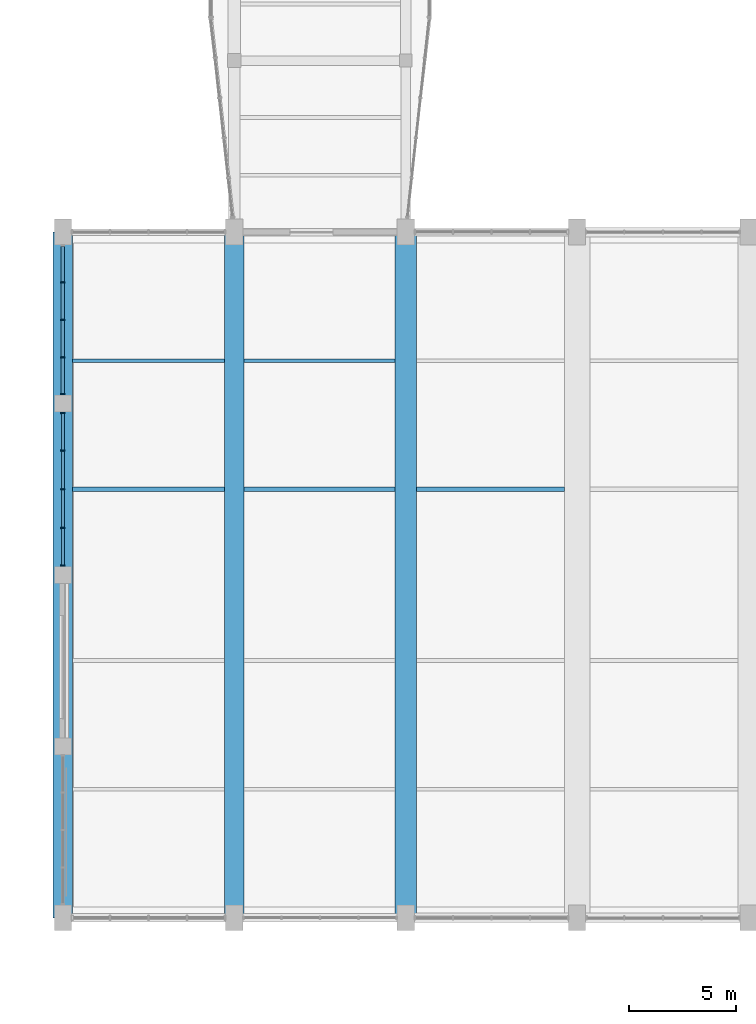
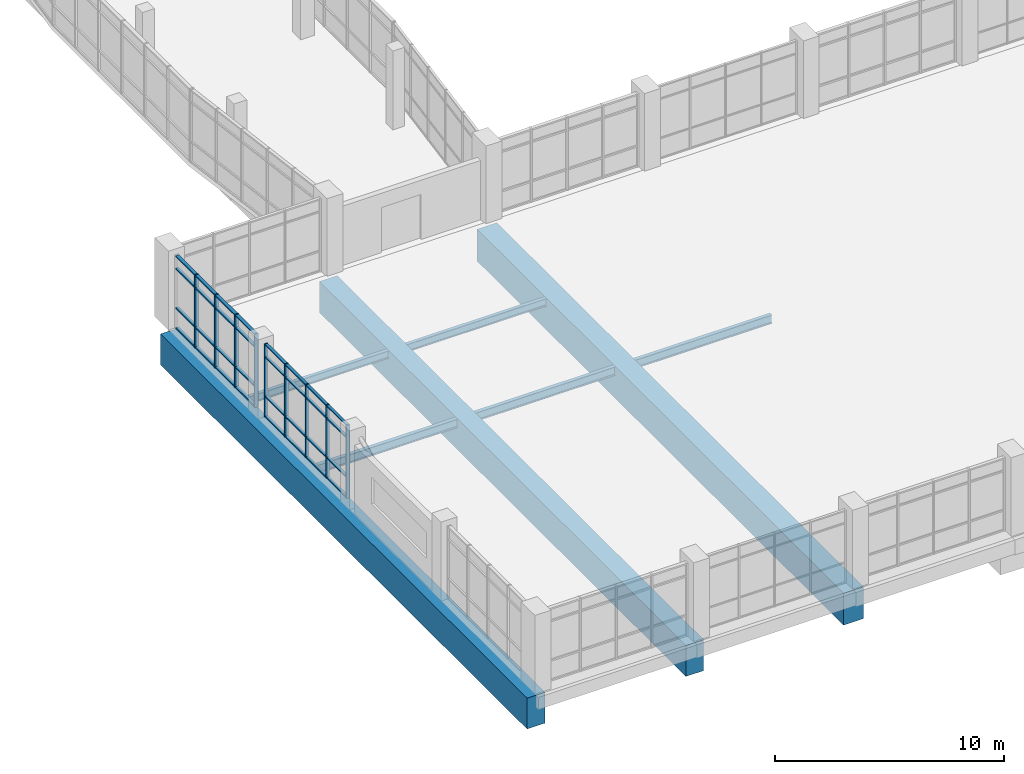
# One storey, part 6 of 84: 41 members, 8 beams, 2 elements without a shape of their own.
"""IFC4 building model written with IfcOpenShell, lengths in metres."""

from ifc_helpers import new_model, si_unit, direction, frame, origin, origin_2d, place, context, subcontext, project, spatial, rectangle, i_section, extrude, material, material_profile, profile_set, type_object, element, aggregate, save


model = new_model("IFC4")

# Units and contexts
model_context = context("Model", 3, precision=1e-05, world=origin(), true_north=direction((0.0, 1.0)))
body_context = subcontext(model_context, "Body", "Model", "MODEL_VIEW")
ifc_project = project(units=[si_unit("LENGTHUNIT", "METRE"), si_unit("AREAUNIT", "SQUARE_METRE"), si_unit("VOLUMEUNIT", "CUBIC_METRE"), si_unit("PLANEANGLEUNIT", "RADIAN"), si_unit("MASSUNIT", "GRAM", prefix="KILO")], contexts=[model_context])

# Site, building, storey
site_placement = place(None, origin())
site = spatial("IfcSite", under=ifc_project, at=site_placement, CompositionType="ELEMENT")
building_placement = place(site_placement, origin())
building = spatial("IfcBuilding", under=site, at=building_placement, Name="Tenunan Teduh Sports Hall", CompositionType="ELEMENT")
storey_placement = place(building_placement, frame((0.0, 0.0, 10.800048828125)))
storey = spatial("IfcBuildingStorey", under=building, at=storey_placement, Name="L02", CompositionType="ELEMENT", Elevation=10.800048828125)

# Curtain wall, members
ifc_material_1 = material(Name="Anodised aluminium", Category="aluminium")
curtain_wall_type = type_object("IfcCurtainWallType", Name="CW-UNIT-2", PredefinedType="NOTDEFINED", material=ifc_material_1)
curtain_wall_1_placement = place(storey_placement, origin())
curtain_wall_1 = element("IfcCurtainWall", 1, at=curtain_wall_1_placement, inside=storey, type_object=curtain_wall_type, Name="CW-CWM-175-L02-070", PredefinedType="NOTDEFINED")
ifc_material_2 = material(Name="Anodised aluminium", Category="aluminium")
ifc_material_profile_1 = material_profile(ifc_material_2, rectangle(XDim=0.06494140625, YDim=0.175048828125, at=origin_2d()), Name="CWM 65x175")
ifc_profile_set_1 = profile_set([ifc_material_profile_1], Name="Anodised aluminium")
member_type_1 = type_object("IfcMemberType", Name="CWM-175", PredefinedType="MULLION", material=ifc_profile_set_1)
member_1_placement = place(storey_placement, frame((6.0, 30.4326171875, 0.0), z_axis=(0.0, 0.0, 1.0), x_axis=(0.0, 1.0, 0.0)))
member_1 = element("IfcMember", 2, at=member_1_placement, type_object=member_type_1, Name="CW-02 mullion 1", PredefinedType="MULLION", context=body_context, shape_type="SweptSolid", body=[
    extrude(rectangle(XDim=0.06494140625, YDim=0.175048828125, at=origin_2d()), origin(), (0.0, 0.0, 1.0), 3.89990234375),
])
member_2_placement = place(storey_placement, frame((6.0, 32.199951171875, 0.0), z_axis=(0.0, 0.0, 1.0), x_axis=(0.0, 1.0, 0.0)))
member_2 = element("IfcMember", 3, at=member_2_placement, type_object=member_type_1, Name="CW-02 mullion 2", PredefinedType="MULLION", context=body_context, shape_type="SweptSolid", body=[
    extrude(rectangle(XDim=0.06494140625, YDim=0.175048828125, at=origin_2d()), origin(), (0.0, 0.0, 1.0), 3.89990234375),
])
member_3_placement = place(storey_placement, frame((6.0, 34.0, 0.0), z_axis=(0.0, 0.0, 1.0), x_axis=(0.0, 1.0, 0.0)))
member_3 = element("IfcMember", 4, at=member_3_placement, type_object=member_type_1, Name="CW-02 mullion 3", PredefinedType="MULLION", context=body_context, shape_type="SweptSolid", body=[
    extrude(rectangle(XDim=0.06494140625, YDim=0.175048828125, at=origin_2d()), origin(), (0.0, 0.0, 1.0), 3.89990234375),
])
member_4_placement = place(storey_placement, frame((6.0, 35.800048828125, 0.0), z_axis=(0.0, 0.0, 1.0), x_axis=(0.0, 1.0, 0.0)))
member_4 = element("IfcMember", 5, at=member_4_placement, type_object=member_type_1, Name="CW-02 mullion 4", PredefinedType="MULLION", context=body_context, shape_type="SweptSolid", body=[
    extrude(rectangle(XDim=0.06494140625, YDim=0.175048828125, at=origin_2d()), origin(), (0.0, 0.0, 1.0), 3.89990234375),
])
member_5_placement = place(storey_placement, frame((6.0, 37.5673828125, 0.0), z_axis=(0.0, 0.0, 1.0), x_axis=(0.0, 1.0, 0.0)))
member_5 = element("IfcMember", 6, at=member_5_placement, type_object=member_type_1, Name="CW-02 mullion 5", PredefinedType="MULLION", context=body_context, shape_type="SweptSolid", body=[
    extrude(rectangle(XDim=0.06494140625, YDim=0.175048828125, at=origin_2d()), origin(), (0.0, 0.0, 1.0), 3.89990234375),
])

curtain_wall_2_placement = place(storey_placement, origin())
curtain_wall_2 = element("IfcCurtainWall", 7, at=curtain_wall_2_placement, inside=storey, type_object=curtain_wall_type, Name="CW-CWM-200-L02-072", PredefinedType="NOTDEFINED")
ifc_material_3 = material(Name="Anodised aluminium", Category="aluminium")
ifc_material_profile_2 = material_profile(ifc_material_3, rectangle(XDim=0.070068359375, YDim=0.199951171875, at=origin_2d()), Name="CWM 70x200")
ifc_profile_set_2 = profile_set([ifc_material_profile_2], Name="Anodised aluminium")
member_type_2 = type_object("IfcMemberType", Name="CWM-200", PredefinedType="MULLION", material=ifc_profile_set_2)
member_6_placement = place(storey_placement, frame((6.0, 38.43505859375, 0.0), z_axis=(0.0, 0.0, 1.0), x_axis=(0.0, 1.0, 0.0)))
member_6 = element("IfcMember", 8, at=member_6_placement, type_object=member_type_2, Name="CW-02 mullion 1", PredefinedType="MULLION", context=body_context, shape_type="SweptSolid", body=[
    extrude(rectangle(XDim=0.070068359375, YDim=0.199951171875, at=origin_2d()), origin(), (0.0, 0.0, 1.0), 3.89990234375),
])
member_7_placement = place(storey_placement, frame((6.0, 40.14990234375, 0.0), z_axis=(0.0, 0.0, 1.0), x_axis=(0.0, 1.0, 0.0)))
member_7 = element("IfcMember", 9, at=member_7_placement, type_object=member_type_2, Name="CW-02 mullion 2", PredefinedType="MULLION", context=body_context, shape_type="SweptSolid", body=[
    extrude(rectangle(XDim=0.070068359375, YDim=0.199951171875, at=origin_2d()), origin(), (0.0, 0.0, 1.0), 3.89990234375),
])
member_8_placement = place(storey_placement, frame((6.0, 41.89990234375, 0.0), z_axis=(0.0, 0.0, 1.0), x_axis=(0.0, 1.0, 0.0)))
member_8 = element("IfcMember", 10, at=member_8_placement, type_object=member_type_2, Name="CW-02 mullion 3", PredefinedType="MULLION", context=body_context, shape_type="SweptSolid", body=[
    extrude(rectangle(XDim=0.070068359375, YDim=0.199951171875, at=origin_2d()), origin(), (0.0, 0.0, 1.0), 3.89990234375),
])
member_9_placement = place(storey_placement, frame((6.0, 43.64990234375, 0.0), z_axis=(0.0, 0.0, 1.0), x_axis=(0.0, 1.0, 0.0)))
member_9 = element("IfcMember", 11, at=member_9_placement, type_object=member_type_2, Name="CW-02 mullion 4", PredefinedType="MULLION", context=body_context, shape_type="SweptSolid", body=[
    extrude(rectangle(XDim=0.070068359375, YDim=0.199951171875, at=origin_2d()), origin(), (0.0, 0.0, 1.0), 3.89990234375),
])

# Member
ifc_material_4 = material(Name="Anodised aluminium", Category="aluminium")
ifc_material_profile_3 = material_profile(ifc_material_4, rectangle(XDim=0.06494140625, YDim=0.139892578125, at=origin_2d()), Name="CWT 65x140")
ifc_profile_set_3 = profile_set([ifc_material_profile_3], Name="Anodised aluminium")
member_type_3 = type_object("IfcMemberType", Name="CWT-150", PredefinedType="USERDEFINED", material=ifc_profile_set_3)
member_10_placement = place(storey_placement, frame((6.0, 30.465087890625, 0.032470703125), z_axis=(0.0, 1.0, 0.0), x_axis=(0.0, 0.0, 1.0)))
member_10 = element("IfcMember", 12, at=member_10_placement, type_object=member_type_3, Name="CW-02 transom 1.1", ObjectType="TRANSOM", PredefinedType="USERDEFINED", context=body_context, shape_type="SweptSolid", body=[
    extrude(rectangle(XDim=0.06494140625, YDim=0.139892578125, at=origin_2d()), origin(), (0.0, 0.0, 1.0), 1.702392578125),
])

member_11_placement = place(storey_placement, frame((6.0, 30.465087890625, 1.099853515625), z_axis=(0.0, 1.0, 0.0), x_axis=(0.0, 0.0, 1.0)))
member_11 = element("IfcMember", 13, at=member_11_placement, type_object=member_type_3, Name="CW-02 transom 1.2", ObjectType="TRANSOM", PredefinedType="USERDEFINED", context=body_context, shape_type="SweptSolid", body=[
    extrude(rectangle(XDim=0.06494140625, YDim=0.139892578125, at=origin_2d()), origin(), (0.0, 0.0, 1.0), 1.702392578125),
])

member_12_placement = place(storey_placement, frame((6.0, 30.465087890625, 3.199951171875), z_axis=(0.0, 1.0, 0.0), x_axis=(0.0, 0.0, 1.0)))
member_12 = element("IfcMember", 14, at=member_12_placement, type_object=member_type_3, Name="CW-02 transom 1.3", ObjectType="TRANSOM", PredefinedType="USERDEFINED", context=body_context, shape_type="SweptSolid", body=[
    extrude(rectangle(XDim=0.06494140625, YDim=0.139892578125, at=origin_2d()), origin(), (0.0, 0.0, 1.0), 1.702392578125),
])

member_13_placement = place(storey_placement, frame((6.0, 30.465087890625, 3.867431640625), z_axis=(0.0, 1.0, 0.0), x_axis=(0.0, 0.0, 1.0)))
member_13 = element("IfcMember", 15, at=member_13_placement, type_object=member_type_3, Name="CW-02 transom 1.4", ObjectType="TRANSOM", PredefinedType="USERDEFINED", context=body_context, shape_type="SweptSolid", body=[
    extrude(rectangle(XDim=0.06494140625, YDim=0.139892578125, at=origin_2d()), origin(), (0.0, 0.0, 1.0), 1.702392578125),
])

member_14_placement = place(storey_placement, frame((6.0, 32.232421875, 0.032470703125), z_axis=(0.0, 1.0, 0.0), x_axis=(0.0, 0.0, 1.0)))
member_14 = element("IfcMember", 16, at=member_14_placement, type_object=member_type_3, Name="CW-02 transom 2.1", ObjectType="TRANSOM", PredefinedType="USERDEFINED", context=body_context, shape_type="SweptSolid", body=[
    extrude(rectangle(XDim=0.06494140625, YDim=0.139892578125, at=origin_2d()), origin(), (0.0, 0.0, 1.0), 1.735107421875),
])

member_15_placement = place(storey_placement, frame((6.0, 32.232421875, 1.099853515625), z_axis=(0.0, 1.0, 0.0), x_axis=(0.0, 0.0, 1.0)))
member_15 = element("IfcMember", 17, at=member_15_placement, type_object=member_type_3, Name="CW-02 transom 2.2", ObjectType="TRANSOM", PredefinedType="USERDEFINED", context=body_context, shape_type="SweptSolid", body=[
    extrude(rectangle(XDim=0.06494140625, YDim=0.139892578125, at=origin_2d()), origin(), (0.0, 0.0, 1.0), 1.735107421875),
])

member_16_placement = place(storey_placement, frame((6.0, 32.232421875, 3.199951171875), z_axis=(0.0, 1.0, 0.0), x_axis=(0.0, 0.0, 1.0)))
member_16 = element("IfcMember", 18, at=member_16_placement, type_object=member_type_3, Name="CW-02 transom 2.3", ObjectType="TRANSOM", PredefinedType="USERDEFINED", context=body_context, shape_type="SweptSolid", body=[
    extrude(rectangle(XDim=0.06494140625, YDim=0.139892578125, at=origin_2d()), origin(), (0.0, 0.0, 1.0), 1.735107421875),
])

member_17_placement = place(storey_placement, frame((6.0, 32.232421875, 3.867431640625), z_axis=(0.0, 1.0, 0.0), x_axis=(0.0, 0.0, 1.0)))
member_17 = element("IfcMember", 19, at=member_17_placement, type_object=member_type_3, Name="CW-02 transom 2.4", ObjectType="TRANSOM", PredefinedType="USERDEFINED", context=body_context, shape_type="SweptSolid", body=[
    extrude(rectangle(XDim=0.06494140625, YDim=0.139892578125, at=origin_2d()), origin(), (0.0, 0.0, 1.0), 1.735107421875),
])

member_18_placement = place(storey_placement, frame((6.0, 34.032470703125, 0.032470703125), z_axis=(0.0, 1.0, 0.0), x_axis=(0.0, 0.0, 1.0)))
member_18 = element("IfcMember", 20, at=member_18_placement, type_object=member_type_3, Name="CW-02 transom 3.1", ObjectType="TRANSOM", PredefinedType="USERDEFINED", context=body_context, shape_type="SweptSolid", body=[
    extrude(rectangle(XDim=0.06494140625, YDim=0.139892578125, at=origin_2d()), origin(), (0.0, 0.0, 1.0), 1.735107421875),
])

member_19_placement = place(storey_placement, frame((6.0, 34.032470703125, 1.099853515625), z_axis=(0.0, 1.0, 0.0), x_axis=(0.0, 0.0, 1.0)))
member_19 = element("IfcMember", 21, at=member_19_placement, type_object=member_type_3, Name="CW-02 transom 3.2", ObjectType="TRANSOM", PredefinedType="USERDEFINED", context=body_context, shape_type="SweptSolid", body=[
    extrude(rectangle(XDim=0.06494140625, YDim=0.139892578125, at=origin_2d()), origin(), (0.0, 0.0, 1.0), 1.735107421875),
])

member_20_placement = place(storey_placement, frame((6.0, 34.032470703125, 3.199951171875), z_axis=(0.0, 1.0, 0.0), x_axis=(0.0, 0.0, 1.0)))
member_20 = element("IfcMember", 22, at=member_20_placement, type_object=member_type_3, Name="CW-02 transom 3.3", ObjectType="TRANSOM", PredefinedType="USERDEFINED", context=body_context, shape_type="SweptSolid", body=[
    extrude(rectangle(XDim=0.06494140625, YDim=0.139892578125, at=origin_2d()), origin(), (0.0, 0.0, 1.0), 1.735107421875),
])

member_21_placement = place(storey_placement, frame((6.0, 34.032470703125, 3.867431640625), z_axis=(0.0, 1.0, 0.0), x_axis=(0.0, 0.0, 1.0)))
member_21 = element("IfcMember", 23, at=member_21_placement, type_object=member_type_3, Name="CW-02 transom 3.4", ObjectType="TRANSOM", PredefinedType="USERDEFINED", context=body_context, shape_type="SweptSolid", body=[
    extrude(rectangle(XDim=0.06494140625, YDim=0.139892578125, at=origin_2d()), origin(), (0.0, 0.0, 1.0), 1.735107421875),
])

member_22_placement = place(storey_placement, frame((6.0, 35.83251953125, 0.032470703125), z_axis=(0.0, 1.0, 0.0), x_axis=(0.0, 0.0, 1.0)))
member_22 = element("IfcMember", 24, at=member_22_placement, type_object=member_type_3, Name="CW-02 transom 4.1", ObjectType="TRANSOM", PredefinedType="USERDEFINED", context=body_context, shape_type="SweptSolid", body=[
    extrude(rectangle(XDim=0.06494140625, YDim=0.139892578125, at=origin_2d()), origin(), (0.0, 0.0, 1.0), 1.702392578125),
])

member_23_placement = place(storey_placement, frame((6.0, 35.83251953125, 1.099853515625), z_axis=(0.0, 1.0, 0.0), x_axis=(0.0, 0.0, 1.0)))
member_23 = element("IfcMember", 25, at=member_23_placement, type_object=member_type_3, Name="CW-02 transom 4.2", ObjectType="TRANSOM", PredefinedType="USERDEFINED", context=body_context, shape_type="SweptSolid", body=[
    extrude(rectangle(XDim=0.06494140625, YDim=0.139892578125, at=origin_2d()), origin(), (0.0, 0.0, 1.0), 1.702392578125),
])

member_24_placement = place(storey_placement, frame((6.0, 35.83251953125, 3.199951171875), z_axis=(0.0, 1.0, 0.0), x_axis=(0.0, 0.0, 1.0)))
member_24 = element("IfcMember", 26, at=member_24_placement, type_object=member_type_3, Name="CW-02 transom 4.3", ObjectType="TRANSOM", PredefinedType="USERDEFINED", context=body_context, shape_type="SweptSolid", body=[
    extrude(rectangle(XDim=0.06494140625, YDim=0.139892578125, at=origin_2d()), origin(), (0.0, 0.0, 1.0), 1.702392578125),
])

member_25_placement = place(storey_placement, frame((6.0, 35.83251953125, 3.867431640625), z_axis=(0.0, 1.0, 0.0), x_axis=(0.0, 0.0, 1.0)))
member_25 = element("IfcMember", 27, at=member_25_placement, type_object=member_type_3, Name="CW-02 transom 4.4", ObjectType="TRANSOM", PredefinedType="USERDEFINED", context=body_context, shape_type="SweptSolid", body=[
    extrude(rectangle(XDim=0.06494140625, YDim=0.139892578125, at=origin_2d()), origin(), (0.0, 0.0, 1.0), 1.702392578125),
])

aggregate(curtain_wall_1, [member_1, member_2, member_3, member_4, member_5, member_10, member_11, member_12, member_13, member_14, member_15, member_16, member_17, member_18, member_19, member_20, member_21, member_22, member_23, member_24, member_25])

ifc_material_5 = material(Name="Anodised aluminium", Category="aluminium")
ifc_material_profile_4 = material_profile(ifc_material_5, rectangle(XDim=0.070068359375, YDim=0.159912109375, at=origin_2d()), Name="CWT 70x160")
ifc_profile_set_4 = profile_set([ifc_material_profile_4], Name="Anodised aluminium")
member_type_4 = type_object("IfcMemberType", Name="CWT-200", PredefinedType="USERDEFINED", material=ifc_profile_set_4)
member_26_placement = place(storey_placement, frame((6.0, 38.469970703125, 0.034912109375), z_axis=(0.0, 1.0, 0.0), x_axis=(0.0, 0.0, 1.0)))
member_26 = element("IfcMember", 28, at=member_26_placement, type_object=member_type_4, Name="CW-02 transom 1.1", ObjectType="TRANSOM", PredefinedType="USERDEFINED", context=body_context, shape_type="SweptSolid", body=[
    extrude(rectangle(XDim=0.070068359375, YDim=0.159912109375, at=origin_2d()), origin(), (0.0, 0.0, 1.0), 1.64501953125),
])

member_27_placement = place(storey_placement, frame((6.0, 38.469970703125, 1.099853515625), z_axis=(0.0, 1.0, 0.0), x_axis=(0.0, 0.0, 1.0)))
member_27 = element("IfcMember", 29, at=member_27_placement, type_object=member_type_4, Name="CW-02 transom 1.2", ObjectType="TRANSOM", PredefinedType="USERDEFINED", context=body_context, shape_type="SweptSolid", body=[
    extrude(rectangle(XDim=0.070068359375, YDim=0.159912109375, at=origin_2d()), origin(), (0.0, 0.0, 1.0), 1.64501953125),
])

member_28_placement = place(storey_placement, frame((6.0, 38.469970703125, 3.199951171875), z_axis=(0.0, 1.0, 0.0), x_axis=(0.0, 0.0, 1.0)))
member_28 = element("IfcMember", 30, at=member_28_placement, type_object=member_type_4, Name="CW-02 transom 1.3", ObjectType="TRANSOM", PredefinedType="USERDEFINED", context=body_context, shape_type="SweptSolid", body=[
    extrude(rectangle(XDim=0.070068359375, YDim=0.159912109375, at=origin_2d()), origin(), (0.0, 0.0, 1.0), 1.64501953125),
])

member_29_placement = place(storey_placement, frame((6.0, 38.469970703125, 3.864990234375), z_axis=(0.0, 1.0, 0.0), x_axis=(0.0, 0.0, 1.0)))
member_29 = element("IfcMember", 31, at=member_29_placement, type_object=member_type_4, Name="CW-02 transom 1.4", ObjectType="TRANSOM", PredefinedType="USERDEFINED", context=body_context, shape_type="SweptSolid", body=[
    extrude(rectangle(XDim=0.070068359375, YDim=0.159912109375, at=origin_2d()), origin(), (0.0, 0.0, 1.0), 1.64501953125),
])

member_30_placement = place(storey_placement, frame((6.0, 40.18505859375, 0.034912109375), z_axis=(0.0, 1.0, 0.0), x_axis=(0.0, 0.0, 1.0)))
member_30 = element("IfcMember", 32, at=member_30_placement, type_object=member_type_4, Name="CW-02 transom 2.1", ObjectType="TRANSOM", PredefinedType="USERDEFINED", context=body_context, shape_type="SweptSolid", body=[
    extrude(rectangle(XDim=0.070068359375, YDim=0.159912109375, at=origin_2d()), origin(), (0.0, 0.0, 1.0), 1.679931640625),
])

member_31_placement = place(storey_placement, frame((6.0, 40.18505859375, 1.099853515625), z_axis=(0.0, 1.0, 0.0), x_axis=(0.0, 0.0, 1.0)))
member_31 = element("IfcMember", 33, at=member_31_placement, type_object=member_type_4, Name="CW-02 transom 2.2", ObjectType="TRANSOM", PredefinedType="USERDEFINED", context=body_context, shape_type="SweptSolid", body=[
    extrude(rectangle(XDim=0.070068359375, YDim=0.159912109375, at=origin_2d()), origin(), (0.0, 0.0, 1.0), 1.679931640625),
])

member_32_placement = place(storey_placement, frame((6.0, 40.18505859375, 3.199951171875), z_axis=(0.0, 1.0, 0.0), x_axis=(0.0, 0.0, 1.0)))
member_32 = element("IfcMember", 34, at=member_32_placement, type_object=member_type_4, Name="CW-02 transom 2.3", ObjectType="TRANSOM", PredefinedType="USERDEFINED", context=body_context, shape_type="SweptSolid", body=[
    extrude(rectangle(XDim=0.070068359375, YDim=0.159912109375, at=origin_2d()), origin(), (0.0, 0.0, 1.0), 1.679931640625),
])

member_33_placement = place(storey_placement, frame((6.0, 40.18505859375, 3.864990234375), z_axis=(0.0, 1.0, 0.0), x_axis=(0.0, 0.0, 1.0)))
member_33 = element("IfcMember", 35, at=member_33_placement, type_object=member_type_4, Name="CW-02 transom 2.4", ObjectType="TRANSOM", PredefinedType="USERDEFINED", context=body_context, shape_type="SweptSolid", body=[
    extrude(rectangle(XDim=0.070068359375, YDim=0.159912109375, at=origin_2d()), origin(), (0.0, 0.0, 1.0), 1.679931640625),
])

member_34_placement = place(storey_placement, frame((6.0, 41.93505859375, 0.034912109375), z_axis=(0.0, 1.0, 0.0), x_axis=(0.0, 0.0, 1.0)))
member_34 = element("IfcMember", 36, at=member_34_placement, type_object=member_type_4, Name="CW-02 transom 3.1", ObjectType="TRANSOM", PredefinedType="USERDEFINED", context=body_context, shape_type="SweptSolid", body=[
    extrude(rectangle(XDim=0.070068359375, YDim=0.159912109375, at=origin_2d()), origin(), (0.0, 0.0, 1.0), 1.679931640625),
])

member_35_placement = place(storey_placement, frame((6.0, 41.93505859375, 1.099853515625), z_axis=(0.0, 1.0, 0.0), x_axis=(0.0, 0.0, 1.0)))
member_35 = element("IfcMember", 37, at=member_35_placement, type_object=member_type_4, Name="CW-02 transom 3.2", ObjectType="TRANSOM", PredefinedType="USERDEFINED", context=body_context, shape_type="SweptSolid", body=[
    extrude(rectangle(XDim=0.070068359375, YDim=0.159912109375, at=origin_2d()), origin(), (0.0, 0.0, 1.0), 1.679931640625),
])

member_36_placement = place(storey_placement, frame((6.0, 41.93505859375, 3.199951171875), z_axis=(0.0, 1.0, 0.0), x_axis=(0.0, 0.0, 1.0)))
member_36 = element("IfcMember", 38, at=member_36_placement, type_object=member_type_4, Name="CW-02 transom 3.3", ObjectType="TRANSOM", PredefinedType="USERDEFINED", context=body_context, shape_type="SweptSolid", body=[
    extrude(rectangle(XDim=0.070068359375, YDim=0.159912109375, at=origin_2d()), origin(), (0.0, 0.0, 1.0), 1.679931640625),
])

member_37_placement = place(storey_placement, frame((6.0, 41.93505859375, 3.864990234375), z_axis=(0.0, 1.0, 0.0), x_axis=(0.0, 0.0, 1.0)))
member_37 = element("IfcMember", 39, at=member_37_placement, type_object=member_type_4, Name="CW-02 transom 3.4", ObjectType="TRANSOM", PredefinedType="USERDEFINED", context=body_context, shape_type="SweptSolid", body=[
    extrude(rectangle(XDim=0.070068359375, YDim=0.159912109375, at=origin_2d()), origin(), (0.0, 0.0, 1.0), 1.679931640625),
])

member_38_placement = place(storey_placement, frame((6.0, 43.68505859375, 0.034912109375), z_axis=(0.0, 1.0, 0.0), x_axis=(0.0, 0.0, 1.0)))
member_38 = element("IfcMember", 40, at=member_38_placement, type_object=member_type_4, Name="CW-02 transom 4.1", ObjectType="TRANSOM", PredefinedType="USERDEFINED", context=body_context, shape_type="SweptSolid", body=[
    extrude(rectangle(XDim=0.070068359375, YDim=0.159912109375, at=origin_2d()), origin(), (0.0, 0.0, 1.0), 1.64501953125),
])

member_39_placement = place(storey_placement, frame((6.0, 43.68505859375, 1.099853515625), z_axis=(0.0, 1.0, 0.0), x_axis=(0.0, 0.0, 1.0)))
member_39 = element("IfcMember", 41, at=member_39_placement, type_object=member_type_4, Name="CW-02 transom 4.2", ObjectType="TRANSOM", PredefinedType="USERDEFINED", context=body_context, shape_type="SweptSolid", body=[
    extrude(rectangle(XDim=0.070068359375, YDim=0.159912109375, at=origin_2d()), origin(), (0.0, 0.0, 1.0), 1.64501953125),
])

member_40_placement = place(storey_placement, frame((6.0, 43.68505859375, 3.199951171875), z_axis=(0.0, 1.0, 0.0), x_axis=(0.0, 0.0, 1.0)))
member_40 = element("IfcMember", 42, at=member_40_placement, type_object=member_type_4, Name="CW-02 transom 4.3", ObjectType="TRANSOM", PredefinedType="USERDEFINED", context=body_context, shape_type="SweptSolid", body=[
    extrude(rectangle(XDim=0.070068359375, YDim=0.159912109375, at=origin_2d()), origin(), (0.0, 0.0, 1.0), 1.64501953125),
])

member_41_placement = place(storey_placement, frame((6.0, 43.68505859375, 3.864990234375), z_axis=(0.0, 1.0, 0.0), x_axis=(0.0, 0.0, 1.0)))
member_41 = element("IfcMember", 43, at=member_41_placement, type_object=member_type_4, Name="CW-02 transom 4.4", ObjectType="TRANSOM", PredefinedType="USERDEFINED", context=body_context, shape_type="SweptSolid", body=[
    extrude(rectangle(XDim=0.070068359375, YDim=0.159912109375, at=origin_2d()), origin(), (0.0, 0.0, 1.0), 1.64501953125),
])

aggregate(curtain_wall_2, [member_6, member_7, member_8, member_9, member_26, member_27, member_28, member_29, member_30, member_31, member_32, member_33, member_34, member_35, member_36, member_37, member_38, member_39, member_40, member_41])

# Beams
ifc_material_6 = material(Name="Post-tensioned concrete C50/60", Category="concrete")
ifc_material_profile_5 = material_profile(ifc_material_6, rectangle(XDim=1.0, YDim=1.699951171875, at=origin_2d()), Name="PTG 1000x1700")
ifc_profile_set_5 = profile_set([ifc_material_profile_5], Name="Post-tensioned concrete C50/60")
beam_type_1 = type_object("IfcBeamType", Name="PTG-1000x1700", PredefinedType="USERDEFINED", material=ifc_profile_set_5)
beam_1_placement = place(storey_placement, frame((22.0, 14.0, -1.400146484375), z_axis=(0.0, 1.0, 0.0), x_axis=(-1.0, 0.0, 0.0)))
element("IfcBeam", 44, at=beam_1_placement, inside=storey, type_object=beam_type_1, Name="Post-Tensioned Transfer Girder BM-PTG-05-L02-0011", ObjectType="TRANSFER GIRDER", PredefinedType="USERDEFINED", context=body_context, shape_type="SweptSolid", body=[
    extrude(rectangle(XDim=1.0, YDim=1.699951171875, at=origin_2d()), origin(), (0.0, 0.0, 1.0), 32.0),
])
ifc_material_7 = material(Name="Post-tensioned concrete C50/60", Category="concrete")
ifc_material_profile_6 = material_profile(ifc_material_7, rectangle(XDim=0.89990234375, YDim=1.64990234375, at=origin_2d()), Name="PTG 900x1650")
ifc_profile_set_6 = profile_set([ifc_material_profile_6], Name="Post-tensioned concrete C50/60")
beam_type_2 = type_object("IfcBeamType", Name="PTG-900x1650", PredefinedType="USERDEFINED", material=ifc_profile_set_6)
for number, where, z_axis, x_axis, name in (
    (45, (6.0, 14.0, -1.375), (0.0, 1.0, 0.0), (-1.0, 0.0, 0.0), "Post-Tensioned Transfer Girder BM-PTG-04-L02-0001"),
    (46, (14.0, 14.0, -1.375), (0.0, 1.0, 0.0), (-1.0, 0.0, 0.0), "Post-Tensioned Transfer Girder BM-PTG-04-L02-0006"),
):
    element("IfcBeam", number, at=place(storey_placement, frame(where, z_axis=z_axis, x_axis=x_axis)), inside=storey, type_object=beam_type_2, Name=name, ObjectType="TRANSFER GIRDER", PredefinedType="USERDEFINED", context=body_context, shape_type="SweptSolid", body=[
        extrude(rectangle(XDim=0.89990234375, YDim=1.64990234375, at=origin_2d()), origin(), (0.0, 0.0, 1.0), 32.0),
    ])
ifc_material_8 = material(Name="Steel S355", Category="steel")
ifc_material_profile_7 = material_profile(ifc_material_8, i_section(OverallWidth=0.177978515625, OverallDepth=0.406494140625, WebThickness=0.0078125, FlangeThickness=0.0126953125, FilletRadius=0.01025390625, at=origin_2d()), Name="UKB 406x178x60")
ifc_profile_set_7 = profile_set([ifc_material_profile_7], Name="Steel S355")
beam_type_3 = type_object("IfcBeamType", Name="SBM-UKB406", PredefinedType="BEAM", material=ifc_profile_set_7)
beam_2_placement = place(storey_placement, frame((6.449951171875, 40.0, -0.753173828125), z_axis=(1.0, 0.0, 0.0), x_axis=(0.0, 1.0, 0.0)))
element("IfcBeam", 47, at=beam_2_placement, inside=storey, type_object=beam_type_3, Name="BM-SB-03-L02-0005", PredefinedType="BEAM", context=body_context, shape_type="SweptSolid", body=[
    extrude(i_section(OverallWidth=0.177978515625, OverallDepth=0.406494140625, WebThickness=0.0078125, FlangeThickness=0.0126953125, FilletRadius=0.01025390625, at=origin_2d()), origin(), (0.0, 0.0, 1.0), 7.10009765625),
])
beam_3_placement = place(storey_placement, frame((14.449951171875, 40.0, -0.753173828125), z_axis=(1.0, 0.0, 0.0), x_axis=(0.0, 1.0, 0.0)))
element("IfcBeam", 48, at=beam_3_placement, inside=storey, type_object=beam_type_3, Name="BM-SB-03-L02-0010", PredefinedType="BEAM", context=body_context, shape_type="SweptSolid", body=[
    extrude(i_section(OverallWidth=0.177978515625, OverallDepth=0.406494140625, WebThickness=0.0078125, FlangeThickness=0.0126953125, FilletRadius=0.01025390625, at=origin_2d()), origin(), (0.0, 0.0, 1.0), 7.050048828125),
])
ifc_material_9 = material(Name="Steel S355", Category="steel")
ifc_material_profile_8 = material_profile(ifc_material_9, i_section(OverallWidth=0.1904296875, OverallDepth=0.45703125, WebThickness=0.009033203125, FlangeThickness=0.014404296875, FilletRadius=0.01025390625, at=origin_2d()), Name="UKB 457x191x74")
ifc_profile_set_8 = profile_set([ifc_material_profile_8], Name="Steel S355")
beam_type_4 = type_object("IfcBeamType", Name="SBM-UKB457", PredefinedType="BEAM", material=ifc_profile_set_8)
beam_4_placement = place(storey_placement, frame((6.449951171875, 34.0, -0.778564453125), z_axis=(1.0, 0.0, 0.0), x_axis=(0.0, 1.0, 0.0)))
element("IfcBeam", 49, at=beam_4_placement, inside=storey, type_object=beam_type_4, Name="BM-SB-04-L02-0004", PredefinedType="BEAM", context=body_context, shape_type="SweptSolid", body=[
    extrude(i_section(OverallWidth=0.1904296875, OverallDepth=0.45703125, WebThickness=0.009033203125, FlangeThickness=0.014404296875, FilletRadius=0.01025390625, at=origin_2d()), origin(), (0.0, 0.0, 1.0), 7.10009765625),
])
beam_5_placement = place(storey_placement, frame((14.449951171875, 34.0, -0.778564453125), z_axis=(1.0, 0.0, 0.0), x_axis=(0.0, 1.0, 0.0)))
element("IfcBeam", 50, at=beam_5_placement, inside=storey, type_object=beam_type_4, Name="BM-SB-04-L02-0009", PredefinedType="BEAM", context=body_context, shape_type="SweptSolid", body=[
    extrude(i_section(OverallWidth=0.1904296875, OverallDepth=0.45703125, WebThickness=0.009033203125, FlangeThickness=0.014404296875, FilletRadius=0.01025390625, at=origin_2d()), origin(), (0.0, 0.0, 1.0), 7.050048828125),
])
beam_6_placement = place(storey_placement, frame((22.5, 34.0, -0.778564453125), z_axis=(1.0, 0.0, 0.0), x_axis=(0.0, 1.0, 0.0)))
element("IfcBeam", 51, at=beam_6_placement, inside=storey, type_object=beam_type_4, Name="BM-SB-04-L02-0014", PredefinedType="BEAM", context=body_context, shape_type="SweptSolid", body=[
    extrude(i_section(OverallWidth=0.1904296875, OverallDepth=0.45703125, WebThickness=0.009033203125, FlangeThickness=0.014404296875, FilletRadius=0.01025390625, at=origin_2d()), origin(), (0.0, 0.0, 1.0), 6.89990234375),
])

save(model, "model.ifc")
